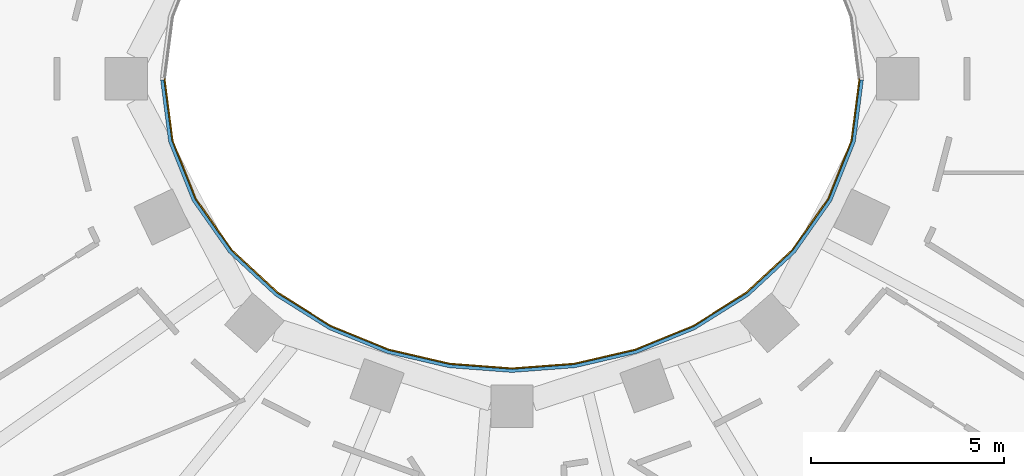
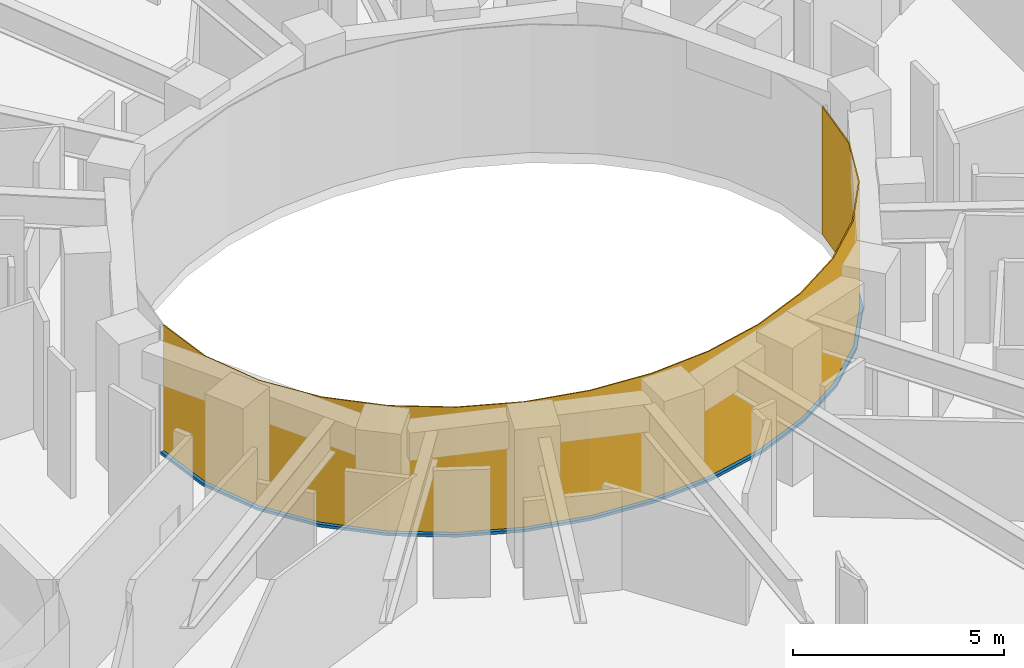
# One storey, part 9 of 16: 1 curtain wall, 1 member.
"""IFC4 building model written with IfcOpenShell, lengths in metres."""

import ifcopenshell
import ifcopenshell.guid

model = None  # the IFC model being written
_history = None  # IfcOwnerHistory: only IFC2X3 demands one
_inside = {}  # id of a spatial element -> (the spatial element, [elements in it])
_under = {}  # id of a project, library or spatial element -> (it, [spatial elements below it])
_declared = {}  # id of a project -> (the project, [libraries it declares])
_typed = {}  # id of a type object -> (the type object, [elements of that type])
_made_of = {}  # id of a material, layer set ... -> (it, [elements and type objects made of it])


def new_model(schema):
    """Start an empty IFC model of exactly this schema.

    Asked for "IFC4X3", IfcOpenShell would pick the latest addendum, in which some entities
    have other attributes; the version numbers below select the first issue.
    IFC2X3 requires an IfcOwnerHistory on every rooted entity: one is made here for all.
    """
    global model, _history
    if schema == "IFC4X3":
        model = ifcopenshell.file(schema_version=(4, 3, 0, 0))
    else:
        model = ifcopenshell.file(schema=schema)
    _inside.clear()
    _under.clear()
    _declared.clear()
    _typed.clear()
    _made_of.clear()
    _history = None
    if model.schema == "IFC2X3":
        org = make("IfcOrganization", Name="unknown")
        user = make(
            "IfcPersonAndOrganization",
            ThePerson=make("IfcPerson", FamilyName="unknown"),
            TheOrganization=org,
        )
        app = make(
            "IfcApplication",
            ApplicationDeveloper=org,
            Version="unknown",
            ApplicationFullName="unknown",
            ApplicationIdentifier="unknown",
        )
        _history = make(
            "IfcOwnerHistory",
            OwningUser=user,
            OwningApplication=app,
            ChangeAction="ADDED",
            CreationDate=0,
        )
    return model


def make(cls, **values):
    """One entity of the class cls with the attributes given. An attribute that is None is left unset."""
    return model.create_entity(
        cls, **{name: value for name, value in values.items() if value is not None}
    )


def rooted(cls, **values):
    """An entity with a GlobalId (a new one), such as an element, a storey or a relation."""
    return make(cls, GlobalId=ifcopenshell.guid.new(), OwnerHistory=_history, **values)


def si_unit(unit_type, name, prefix=None):
    """IfcSIUnit, for example si_unit("LENGTHUNIT", "METRE", prefix="MILLI")."""
    return make("IfcSIUnit", UnitType=unit_type, Prefix=prefix, Name=name)


def assignment(units):
    """IfcUnitAssignment: the units of a project."""
    return None if units is None else make("IfcUnitAssignment", Units=units)


def point(xyz):
    """IfcCartesianPoint."""
    return None if xyz is None else make("IfcCartesianPoint", Coordinates=xyz)


def direction(xyz):
    """IfcDirection."""
    return None if xyz is None else make("IfcDirection", DirectionRatios=xyz)


def frame(location, z_axis=None, x_axis=None):
    """IfcAxis2Placement3D, a coordinate frame: its origin and axes. An axis left out is left unset."""
    return make(
        "IfcAxis2Placement3D",
        Location=point(location),
        Axis=direction(z_axis),
        RefDirection=direction(x_axis),
    )


def origin():
    """The frame at (0, 0, 0) with its axes left unset."""
    return frame((0.0, 0.0, 0.0))


def place(relative_to, where):
    """IfcLocalPlacement: puts the frame where relative to a parent placement (None: the world)."""
    return make(
        "IfcLocalPlacement", PlacementRelTo=relative_to, RelativePlacement=where
    )


def context(
    kind, dimensions, precision=None, world=None, true_north=None, identifier=None
):
    """IfcGeometricRepresentationContext, for example the 3D "Model" context."""
    return make(
        "IfcGeometricRepresentationContext",
        ContextIdentifier=identifier,
        ContextType=kind,
        CoordinateSpaceDimension=dimensions,
        Precision=precision,
        WorldCoordinateSystem=world,
        TrueNorth=true_north,
    )


def subcontext(parent, identifier, kind, view, scale=None):
    """IfcGeometricRepresentationSubContext, for example "Body" below "Model"."""
    return make(
        "IfcGeometricRepresentationSubContext",
        ContextIdentifier=identifier,
        ContextType=kind,
        ParentContext=parent,
        TargetScale=scale,
        TargetView=view,
    )


def project(units=None, contexts=None):
    """IfcProject with its units and contexts."""
    return rooted(
        "IfcProject",
        Name="project",
        RepresentationContexts=contexts,
        UnitsInContext=assignment(units),
    )


def spatial(cls, under=None, at=None, **own):
    """A site, building, storey or space (cls), placed at a placement, below another one or the project."""
    s = rooted(cls, ObjectPlacement=at, **own)
    if under is not None:
        _under.setdefault(under.id(), (under, []))[1].append(s)
    return s


def polyline(points):
    """IfcPolyline through the points."""
    return make("IfcPolyline", Points=[point(p) for p in points])


def outline(outer, holes=None, kind="AREA"):
    """IfcArbitraryClosedProfileDef: a profile drawn as a closed curve; with holes, ...WithVoids."""
    if holes is None:
        return make("IfcArbitraryClosedProfileDef", ProfileType=kind, OuterCurve=outer)
    return make(
        "IfcArbitraryProfileDefWithVoids",
        ProfileType=kind,
        OuterCurve=outer,
        InnerCurves=holes,
    )


def extrude(swept, where, along, depth):
    """IfcExtrudedAreaSolid: the profile swept, set in the frame where, extruded along a direction by depth."""
    return make(
        "IfcExtrudedAreaSolid",
        SweptArea=swept,
        Position=where,
        ExtrudedDirection=direction(along),
        Depth=depth,
    )


def shape(context_of_items, identifier, shape_type, items):
    """IfcShapeRepresentation: the items that make up one representation, for example the "Body"."""
    return make(
        "IfcShapeRepresentation",
        ContextOfItems=context_of_items,
        RepresentationIdentifier=identifier,
        RepresentationType=shape_type,
        Items=items,
    )


def material(Name=None, Category=None):
    """IfcMaterial."""
    return make("IfcMaterial", Name=Name, Category=Category)


def layer(
    of_material, thickness, ventilated=None, Name=None, Category=None, Priority=None
):
    """IfcMaterialLayer: one layer of a wall or slab, of a material (None: an air gap)."""
    return make(
        "IfcMaterialLayer",
        Material=of_material,
        LayerThickness=thickness,
        IsVentilated=ventilated,
        Name=Name,
        Category=Category,
        Priority=Priority,
    )


def layer_set(layers, Name=None):
    """IfcMaterialLayerSet."""
    return make("IfcMaterialLayerSet", MaterialLayers=layers, LayerSetName=Name)


def made_of(thing, what):
    """Note that an element or type object is made of a material, layer set ...; save() writes the relation."""
    if what is not None:
        _made_of.setdefault(what.id(), (what, []))[1].append(thing)
    return thing


def type_object(cls, material=None, **own):
    """A type object (cls), such as IfcWallType, which elements share."""
    return made_of(rooted(cls, **own), material)


def element(
    cls,
    number,
    at=None,
    inside=None,
    cuts=None,
    type_object=None,
    material=None,
    context=None,
    identifier="Body",
    shape_type=None,
    held_by="IfcProductDefinitionShape",
    body=None,
    shapes=None,
    **own,
):
    """One element of the class cls, such as IfcWall. Its Tag is "e" and its number.

    at: its placement. inside: the storey or other place that contains it. cuts: it is an
    opening in that element (IfcRelVoidsElement). A single representation is given by context,
    identifier, shape_type and body (its items); several are given by shapes. held_by: the class
    of the entity that holds the representations. save() writes the other relations.
    """
    e = rooted(cls, Tag="e%d" % number, ObjectPlacement=at, **own)
    if body is not None:
        shapes = [shape(context, identifier, shape_type, body)]
    if shapes is not None:
        e.Representation = make(held_by, Representations=shapes)
    if inside is not None:
        _inside.setdefault(inside.id(), (inside, []))[1].append(e)
    if cuts is not None:
        rooted(
            "IfcRelVoidsElement", RelatingBuildingElement=cuts, RelatedOpeningElement=e
        )
    if type_object is not None:
        _typed.setdefault(type_object.id(), (type_object, []))[1].append(e)
    return made_of(e, material)


def aggregate(whole, parts):
    """IfcRelAggregates: a whole, such as a stair, and the parts it consists of."""
    return rooted("IfcRelAggregates", RelatingObject=whole, RelatedObjects=parts)


def save(model, path):
    """Write the relations noted so far, then the file.

    IfcRelAggregates (storeys below a building ...), IfcRelContainedInSpatialStructure (elements
    in a storey), IfcRelDefinesByType, IfcRelAssociatesMaterial and IfcRelDeclares: one each for
    every whole, place, type object, material and project.
    """
    for whole, parts in _under.values():
        aggregate(whole, parts)
    for where, things in _inside.values():
        rooted(
            "IfcRelContainedInSpatialStructure",
            RelatedElements=things,
            RelatingStructure=where,
        )
    for kind, things in _typed.values():
        rooted("IfcRelDefinesByType", RelatedObjects=things, RelatingType=kind)
    for what, things in _made_of.values():
        rooted("IfcRelAssociatesMaterial", RelatedObjects=things, RelatingMaterial=what)
    for by, libraries in _declared.values():
        rooted("IfcRelDeclares", RelatingContext=by, RelatedDefinitions=libraries)
    model.write(path)


model = new_model("IFC4")

# Units and contexts
model_context = context("Model", 3, precision=1e-05, world=origin(), true_north=direction((0.0, 1.0)))
body_context = subcontext(model_context, "Body", "Model", "MODEL_VIEW")
ifc_project = project(units=[si_unit("LENGTHUNIT", "METRE"), si_unit("AREAUNIT", "SQUARE_METRE"), si_unit("VOLUMEUNIT", "CUBIC_METRE"), si_unit("PLANEANGLEUNIT", "RADIAN"), si_unit("MASSUNIT", "GRAM", prefix="KILO")], contexts=[model_context])

# Member
ifc_material_1 = material(Name="Steel S355 fire-resisting frame", Category="steel")
member_type = type_object("IfcMemberType", Name="ENV-TRANSOM-W", PredefinedType="USERDEFINED", material=ifc_material_1)
site_placement = place(None, origin())
building_placement = place(site_placement, origin())
storey_placement = place(building_placement, frame((0.0, 0.0, 162.0)))
member_placement = place(storey_placement, origin())
member = element("IfcMember", 1, at=member_placement, type_object=member_type, Name="Transom W well 17-01", ObjectType="TRANSOM", PredefinedType="USERDEFINED", context=body_context, shape_type="SweptSolid", body=[
    extrude(outline(polyline([(-9.119384765625, -0.02783203125), (-8.910400390625, -1.63623046875), (-8.29833984375, -3.167236328125), (-7.35107421875, -4.5146484375), (-6.1455078125, -5.6337890625), (-4.75341796875, -6.50634765625), (-3.233642578125, -7.127685546875), (-1.635498046875, -7.498779296875), (0.0, -7.622314453125), (1.635498046875, -7.498779296875), (3.233642578125, -7.127685546875), (4.75341796875, -6.50634765625), (6.1455078125, -5.6337890625), (7.35107421875, -4.5146484375), (8.29833984375, -3.167236328125), (8.910400390625, -1.63623046875), (9.119384765625, -0.02783203125), (9.02880859375, -0.02783203125), (8.822509765625, -1.61328125), (8.21875, -3.124267578125), (7.282958984375, -4.455078125), (6.090576171875, -5.56201171875), (4.712158203125, -6.426025390625), (3.206298828125, -7.04150390625), (1.621826171875, -7.40966796875), (0.0, -7.531982421875), (-1.621826171875, -7.40966796875), (-3.206298828125, -7.04150390625), (-4.712158203125, -6.426025390625), (-6.090576171875, -5.56201171875), (-7.282958984375, -4.455078125), (-8.21875, -3.124267578125), (-8.822509765625, -1.61328125), (-9.02880859375, -0.02783203125), (-9.119384765625, -0.02783203125)])), origin(), (0.0, 0.0, 1.0), 0.080078125),
])

# Site, building, storey
site = spatial("IfcSite", under=ifc_project, at=site_placement, CompositionType="ELEMENT")
building = spatial("IfcBuilding", under=site, at=building_placement, Name="Noorbagh Ring Tower", CompositionType="ELEMENT")
storey = spatial("IfcBuildingStorey", under=building, at=storey_placement, Name="L37", CompositionType="ELEMENT", Elevation=162.0)

# Curtain wall
ifc_material_2 = material(Name="Glass fire-resisting E60 laminated", Category="glass")
ifc_layer = layer(ifc_material_2, 0.031982421875)
ifc_layer_set = layer_set([ifc_layer], Name="Glass fire-resisting E60 laminated")
curtain_wall_type = type_object("IfcCurtainWallType", Name="ENV-CW-W", PredefinedType="NOTDEFINED", material=ifc_layer_set)
curtain_wall_placement = place(storey_placement, origin())
curtain_wall = element("IfcCurtainWall", 2, at=curtain_wall_placement, inside=storey, type_object=curtain_wall_type, Name="Curtain wall W W17", PredefinedType="NOTDEFINED", context=body_context, shape_type="SweptSolid", body=[
    extrude(outline(polyline([(-9.0322265625, 0.0), (-8.822509765625, -1.61328125), (-8.21875, -3.124267578125), (-7.282958984375, -4.455078125), (-6.090576171875, -5.56201171875), (-4.712158203125, -6.426025390625), (-3.206298828125, -7.04150390625), (-1.621826171875, -7.40966796875), (0.0, -7.531982421875), (1.621826171875, -7.40966796875), (3.206298828125, -7.04150390625), (4.712158203125, -6.426025390625), (6.090576171875, -5.56201171875), (7.282958984375, -4.455078125), (8.21875, -3.124267578125), (8.822509765625, -1.61328125), (9.0322265625, 0.0), (9.0, 0.0), (8.79150390625, -1.605224609375), (8.1904296875, -3.10888671875), (7.2587890625, -4.43408203125), (6.071044921875, -5.53662109375), (4.697509765625, -6.3974609375), (3.196533203125, -7.010986328125), (1.6171875, -7.3779296875), (0.0, -7.5), (-1.6171875, -7.3779296875), (-3.196533203125, -7.010986328125), (-4.697509765625, -6.3974609375), (-6.071044921875, -5.53662109375), (-7.2587890625, -4.43408203125), (-8.1904296875, -3.10888671875), (-8.79150390625, -1.605224609375), (-9.0, 0.0), (-9.0322265625, 0.0)])), origin(), (0.0, 0.0, 1.0), 3.699951171875),
])

aggregate(curtain_wall, [member])

save(model, "model.ifc")
